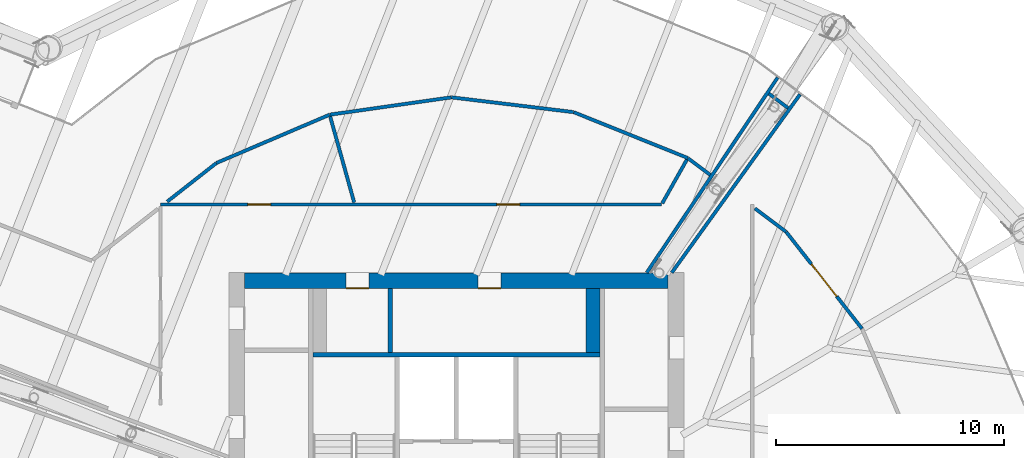
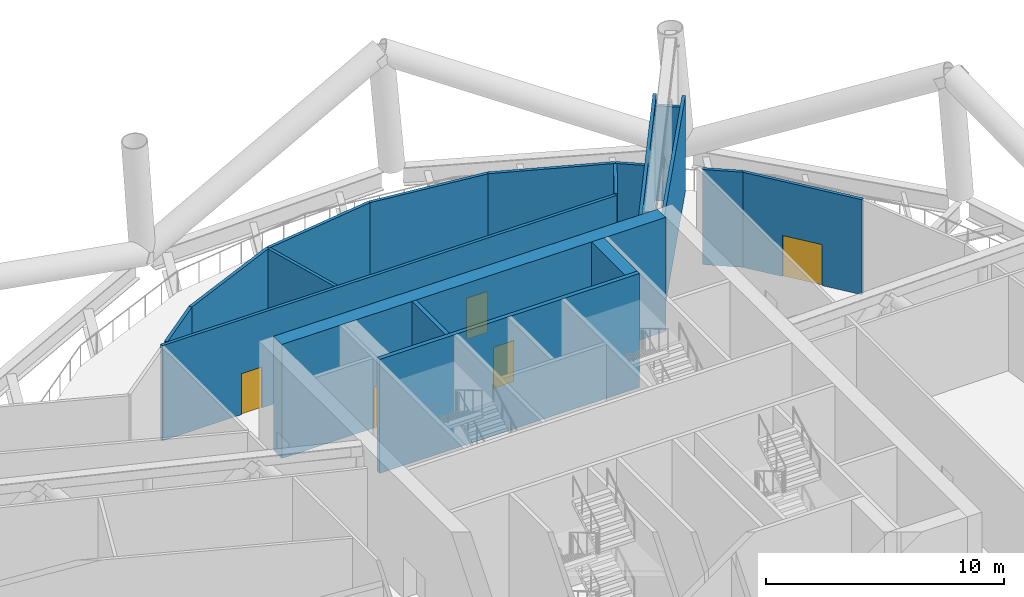
# One storey, part 14 of 36: 18 walls, 5 doors, 5 openings.
"""IFC4 building model written with IfcOpenShell, lengths in metres."""

from ifc_helpers import new_model, si_unit, direction, frame, frame_2d, origin, place, context, subcontext, project, spatial, rectangle, extrude, material, layer, layer_set, type_object, element, fill, save


model = new_model("IFC4")

# Units and contexts
model_context = context("Model", 3, precision=1e-05, world=origin(), true_north=direction((0.0, 1.0)))
body_context = subcontext(model_context, "Body", "Model", "MODEL_VIEW")
ifc_project = project(units=[si_unit("LENGTHUNIT", "METRE"), si_unit("AREAUNIT", "SQUARE_METRE"), si_unit("VOLUMEUNIT", "CUBIC_METRE"), si_unit("PLANEANGLEUNIT", "RADIAN"), si_unit("MASSUNIT", "GRAM", prefix="KILO")], contexts=[model_context])

# Site, building, storey
site_placement = place(None, origin())
site = spatial("IfcSite", under=ifc_project, at=site_placement, CompositionType="ELEMENT")
building_placement = place(site_placement, origin())
building = spatial("IfcBuilding", under=site, at=building_placement, Name="Tarsis Ring Headquarters", CompositionType="ELEMENT")
storey_placement = place(building_placement, frame((0.0, 0.0, 194.39990234375)))
storey = spatial("IfcBuildingStorey", under=building, at=storey_placement, Name="L45", CompositionType="ELEMENT", Elevation=194.39990234375)

# Wall
ifc_material_1 = material(Name="Blockwork", Category="masonry")
ifc_layer_1 = layer(ifc_material_1, 0.199951171875)
ifc_layer_set_1 = layer_set([ifc_layer_1], Name="Core blockwork wall 200")
wall_type_1 = type_object("IfcWallType", Name="Core blockwork wall 200", PredefinedType="PARTITIONING", material=ifc_layer_set_1)
wall_1_placement = place(storey_placement, frame((-2.89990234375, 9.5, 0.0), z_axis=(0.0, 0.0, 1.0), x_axis=(0.0, 1.0, 0.0)))
element("IfcWall", 1, at=wall_1_placement, inside=storey, type_object=wall_type_1, Name="Core partition ND1", PredefinedType="PARTITIONING", context=body_context, shape_type="SweptSolid", body=[
    extrude(rectangle(XDim=2.800048828125, YDim=0.199951171875, at=frame_2d((1.39990234375, 0.0))), origin(), (0.0, 0.0, 1.0), 5.840087890625),
])

# Wall, openings, doors
ifc_material_2 = material(Name="Concrete C50/60", Category="concrete")
ifc_layer_2 = layer(ifc_material_2, 0.699951171875)
ifc_layer_set_2 = layer_set([ifc_layer_2], Name="Core wall 700 C50/60")
wall_type_2 = type_object("IfcWallType", Name="Core wall 700 C50/60", PredefinedType="SHEAR", material=ifc_layer_set_2)
wall_2_placement = place(storey_placement, frame((-9.300048828125, 12.64990234375, 0.0), z_axis=(0.0, 0.0, 1.0), x_axis=(1.0, 0.0, 0.0)))
wall_2 = element("IfcWall", 2, at=wall_2_placement, inside=storey, type_object=wall_type_2, Name="Core wall ON", PredefinedType="SHEAR", context=body_context, shape_type="SweptSolid", body=[
    extrude(rectangle(XDim=18.60009765625, YDim=0.699951171875, at=frame_2d((9.300048828125, 0.0))), origin(), (0.0, 0.0, 1.0), 5.840087890625),
])
opening_1_placement = place(wall_2_placement, frame((4.449951171875, 0.0, 0.0)))
opening_1 = element("IfcOpeningElement", 3, at=opening_1_placement, cuts=wall_2, Name="Opening L45-C13", PredefinedType="OPENING", context=body_context, shape_type="SweptSolid", body=[
    extrude(rectangle(XDim=1.0, YDim=2.10009765625, at=frame_2d((0.5, 1.050048828125))), frame((0.0, 0.35986328125, 0.0), z_axis=(0.0, -1.0, 0.0), x_axis=(1.0, 0.0, 0.0)), (0.0, 0.0, 1.0), 0.719970703125),
])
opening_2_placement = place(wall_2_placement, frame((10.25, 0.0, 0.0)))
opening_2 = element("IfcOpeningElement", 4, at=opening_2_placement, cuts=wall_2, Name="Opening L45-C14", PredefinedType="OPENING", context=body_context, shape_type="SweptSolid", body=[
    extrude(rectangle(XDim=1.0, YDim=2.10009765625, at=frame_2d((0.5, 1.050048828125))), frame((0.0, 0.35986328125, 0.0), z_axis=(0.0, -1.0, 0.0), x_axis=(1.0, 0.0, 0.0)), (0.0, 0.0, 1.0), 0.719970703125),
])
ifc_material_3 = material(Name="Steel S355", Category="steel")
door_type_1 = type_object("IfcDoorType", Name="Core room door 1000x2100", OperationType="SINGLE_SWING_LEFT", PredefinedType="DOOR", material=ifc_material_3)
door_1_placement = place(opening_1_placement, origin())
door_1 = element("IfcDoor", 5, at=door_1_placement, inside=storey, type_object=door_type_1, Name="Core room door L45", OperationType="SINGLE_SWING_LEFT", OverallHeight=2.10009765625, OverallWidth=1.0, PredefinedType="DOOR", context=body_context, shape_type="SweptSolid", body=[
    extrude(rectangle(XDim=1.0, YDim=2.10009765625, at=frame_2d((0.5, 1.050048828125))), frame((0.0, -0.2998046875, 0.0), z_axis=(0.0, -1.0, 0.0), x_axis=(1.0, 0.0, 0.0)), (0.0, 0.0, 1.0), 0.050048828125),
])
fill(opening_1, door_1)
door_2_placement = place(opening_2_placement, origin())
door_2 = element("IfcDoor", 6, at=door_2_placement, inside=storey, type_object=door_type_1, Name="Core room door L45", OperationType="SINGLE_SWING_LEFT", OverallHeight=2.10009765625, OverallWidth=1.0, PredefinedType="DOOR", context=body_context, shape_type="SweptSolid", body=[
    extrude(rectangle(XDim=1.0, YDim=2.10009765625, at=frame_2d((0.5, 1.050048828125))), frame((0.0, -0.2998046875, 0.0), z_axis=(0.0, -1.0, 0.0), x_axis=(1.0, 0.0, 0.0)), (0.0, 0.0, 1.0), 0.050048828125),
])
fill(opening_2, door_2)

ifc_material_4 = material(Name="Gypsum board on steel studs", Category="steel")
ifc_layer_3 = layer(ifc_material_4, 0.14990234375)
ifc_layer_set_3 = layer_set([ifc_layer_3], Name="FL partition 150 EI 120 H4870")
wall_type_3 = type_object("IfcWallType", Name="FL partition 150 EI 120 H4870", PredefinedType="PARTITIONING", material=ifc_layer_set_3)
wall_3_placement = place(storey_placement, frame((-12.998046875, 16.0, 0.0), z_axis=(0.0, 0.0, 1.0), x_axis=(1.0, 0.0, 0.0)))
wall_3 = element("IfcWall", 7, at=wall_3_placement, inside=storey, type_object=wall_type_3, Name="Partition PW2H487", PredefinedType="PARTITIONING", context=body_context, shape_type="SweptSolid", body=[
    extrude(rectangle(XDim=22.013427734375, YDim=0.14990234375, at=frame_2d((11.0068359375, 0.0))), origin(), (0.0, 0.0, 1.0), 4.8701171875),
])
opening_3_placement = place(wall_3_placement, frame((14.772216796875, 0.0, 0.0)))
opening_3 = element("IfcOpeningElement", 8, at=opening_3_placement, cuts=wall_3, Name="Opening D45.04", PredefinedType="OPENING", context=body_context, shape_type="SweptSolid", body=[
    extrude(rectangle(XDim=1.0, YDim=2.10009765625, at=frame_2d((0.5, 1.050048828125))), frame((0.0, 0.0849609375, 0.0), z_axis=(0.0, -1.0, 0.0), x_axis=(1.0, 0.0, 0.0)), (0.0, 0.0, 1.0), 0.169921875),
])
opening_4_placement = place(wall_3_placement, frame((3.8330078125, 0.0, 0.0)))
opening_4 = element("IfcOpeningElement", 9, at=opening_4_placement, cuts=wall_3, Name="Opening D45.05", PredefinedType="OPENING", context=body_context, shape_type="SweptSolid", body=[
    extrude(rectangle(XDim=1.0, YDim=2.10009765625, at=frame_2d((0.5, 1.050048828125))), frame((0.0, 0.0849609375, 0.0), z_axis=(0.0, -1.0, 0.0), x_axis=(1.0, 0.0, 0.0)), (0.0, 0.0, 1.0), 0.169921875),
])
ifc_material_5 = material(Name="Fire-rated timber door leaf in steel frame", Category="steel")
door_type_2 = type_object("IfcDoorType", Name="FL door FD120-1000", OperationType="NOTDEFINED", PredefinedType="DOOR", material=ifc_material_5)
door_3_placement = place(opening_3_placement, origin())
door_3 = element("IfcDoor", 10, at=door_3_placement, inside=storey, type_object=door_type_2, Name="Door D45.04", OperationType="SINGLE_SWING_LEFT", OverallHeight=2.10009765625, OverallWidth=1.0, PredefinedType="DOOR", context=body_context, shape_type="SweptSolid", body=[
    extrude(rectangle(XDim=1.0, YDim=2.10009765625, at=frame_2d((0.5, 1.050048828125))), frame((0.0, 0.02490234375, 0.0), z_axis=(0.0, -1.0, 0.0), x_axis=(1.0, 0.0, 0.0)), (0.0, 0.0, 1.0), 0.050048828125),
])
fill(opening_3, door_3)
door_4_placement = place(opening_4_placement, origin())
door_4 = element("IfcDoor", 11, at=door_4_placement, inside=storey, type_object=door_type_2, Name="Door D45.05", OperationType="SINGLE_SWING_RIGHT", OverallHeight=2.10009765625, OverallWidth=1.0, PredefinedType="DOOR", context=body_context, shape_type="SweptSolid", body=[
    extrude(rectangle(XDim=1.0, YDim=2.10009765625, at=frame_2d((0.5, 1.050048828125))), frame((0.0, 0.02490234375, 0.0), z_axis=(0.0, -1.0, 0.0), x_axis=(1.0, 0.0, 0.0)), (0.0, 0.0, 1.0), 0.050048828125),
])
fill(opening_4, door_4)

# Walls
wall_4_placement = place(storey_placement, frame((8.362548828125, 13.002685546875, 0.0), z_axis=(0.0, 0.0, 1.0), x_axis=(0.557132095917, 0.83042388435, 0.0)))
element("IfcWall", 12, at=wall_4_placement, inside=storey, type_object=wall_type_3, Name="Partition PW2H487", PredefinedType="PARTITIONING", context=body_context, shape_type="SweptSolid", body=[
    extrude(rectangle(XDim=10.322509765625, YDim=0.14990234375, at=frame_2d((5.1611328125, 0.0))), origin(), (0.0, 0.0, 1.0), 4.8701171875),
])
wall_5_placement = place(storey_placement, frame((9.461181640625, 13.001220703125, 0.0), z_axis=(0.0, 0.0, 1.0), x_axis=(0.58386952037, 0.811847512273, 0.0)))
element("IfcWall", 13, at=wall_5_placement, inside=storey, type_object=wall_type_3, Name="Partition PW2H487", PredefinedType="PARTITIONING", context=body_context, shape_type="SweptSolid", body=[
    extrude(rectangle(XDim=9.652099609375, YDim=0.14990234375, at=frame_2d((4.826171875, 0.0))), origin(), (0.0, 0.0, 1.0), 4.8701171875),
])
wall_6_placement = place(storey_placement, frame((-10.54052734375, 17.823486328125, 0.0), z_axis=(0.0, 0.0, 1.0), x_axis=(0.919821205215, 0.392337801439, 0.0)))
element("IfcWall", 14, at=wall_6_placement, inside=storey, type_object=wall_type_3, Name="Partition PW2H487", PredefinedType="PARTITIONING", context=body_context, shape_type="SweptSolid", body=[
    extrude(rectangle(XDim=5.405029296875, YDim=0.14990234375, at=frame_2d((2.70263671875, 0.0))), origin(), (0.0, 0.0, 1.0), 4.8701171875),
])

# Wall, opening, door
wall_7_placement = place(storey_placement, frame((14.48828125, 14.79443359375, 0.0), z_axis=(0.0, 0.0, 1.0), x_axis=(0.617019288792, -0.786948027038, 0.0)))
wall_7 = element("IfcWall", 15, at=wall_7_placement, inside=storey, type_object=wall_type_3, Name="Partition PW2H487", PredefinedType="PARTITIONING", context=body_context, shape_type="SweptSolid", body=[
    extrude(rectangle(XDim=5.405029296875, YDim=0.14990234375, at=frame_2d((2.70263671875, 0.0))), origin(), (0.0, 0.0, 1.0), 4.8701171875),
])
opening_5_placement = place(wall_7_placement, frame((1.802490234375, 0.0, 0.0)))
opening_5 = element("IfcOpeningElement", 16, at=opening_5_placement, cuts=wall_7, Name="Opening D45.16", PredefinedType="OPENING", context=body_context, shape_type="SweptSolid", body=[
    extrude(rectangle(XDim=1.800048828125, YDim=2.10009765625, at=frame_2d((0.89990234375, 1.050048828125))), frame((0.0, 0.0849609375, 0.0), z_axis=(0.0, -1.0, 0.0), x_axis=(1.0, 0.0, 0.0)), (0.0, 0.0, 1.0), 0.169921875),
])
door_type_3 = type_object("IfcDoorType", Name="FL door FD120-1800", OperationType="DOUBLE_DOOR_SINGLE_SWING", PredefinedType="DOOR", material=ifc_material_5)
door_5_placement = place(opening_5_placement, origin())
door_5 = element("IfcDoor", 17, at=door_5_placement, inside=storey, type_object=door_type_3, Name="Door D45.16", OperationType="DOUBLE_DOOR_SINGLE_SWING", OverallHeight=2.10009765625, OverallWidth=1.800048828125, PredefinedType="DOOR", context=body_context, shape_type="SweptSolid", body=[
    extrude(rectangle(XDim=1.800048828125, YDim=2.10009765625, at=frame_2d((0.89990234375, 1.050048828125))), frame((0.0, 0.02490234375, 0.0), z_axis=(0.0, -1.0, 0.0), x_axis=(1.0, 0.0, 0.0)), (0.0, 0.0, 1.0), 0.050048828125),
])
fill(opening_5, door_5)

# Walls
wall_8_placement = place(storey_placement, frame((-0.216552734375, 20.7060546875, 0.0), z_axis=(0.0, 0.0, 1.0), x_axis=(0.992756001828, -0.120147912319, 0.0)))
element("IfcWall", 18, at=wall_8_placement, inside=storey, type_object=wall_type_3, Name="Partition PW2H487", PredefinedType="PARTITIONING", context=body_context, shape_type="SweptSolid", body=[
    extrude(rectangle(XDim=5.405029296875, YDim=0.14990234375, at=frame_2d((2.70263671875, 0.0))), origin(), (0.0, 0.0, 1.0), 4.8701171875),
])
wall_9_placement = place(storey_placement, frame((-5.558349609375, 19.94580078125, 0.0), z_axis=(0.0, 0.0, 1.0), x_axis=(0.990022806006, 0.140907216241, 0.0)))
element("IfcWall", 19, at=wall_9_placement, inside=storey, type_object=wall_type_3, Name="Partition PW2H487", PredefinedType="PARTITIONING", context=body_context, shape_type="SweptSolid", body=[
    extrude(rectangle(XDim=5.385009765625, YDim=0.14990234375, at=frame_2d((2.6923828125, 0.0))), origin(), (0.0, 0.0, 1.0), 4.8701171875),
])
wall_10_placement = place(storey_placement, frame((5.1591796875, 20.052734375, 0.0), z_axis=(0.0, 0.0, 1.0), x_axis=(0.927838652427, -0.372981815993, 0.0)))
element("IfcWall", 20, at=wall_10_placement, inside=storey, type_object=wall_type_3, Name="Partition PW2H487", PredefinedType="PARTITIONING", context=body_context, shape_type="SweptSolid", body=[
    extrude(rectangle(XDim=5.39501953125, YDim=0.14990234375, at=frame_2d((2.697509765625, 0.0))), origin(), (0.0, 0.0, 1.0), 4.8701171875),
])
wall_11_placement = place(storey_placement, frame((-5.54638671875, 19.864990234375, 0.0), z_axis=(0.0, 0.0, 1.0), x_axis=(0.268921157787, -0.963162193452, 0.0)))
element("IfcWall", 21, at=wall_11_placement, inside=storey, type_object=wall_type_3, Name="Partition PW2H487", PredefinedType="PARTITIONING", context=body_context, shape_type="SweptSolid", body=[
    extrude(rectangle(XDim=3.9228515625, YDim=0.14990234375, at=frame_2d((1.96142578125, 0.0))), origin(), (0.0, 0.0, 1.0), 4.8701171875),
])
wall_12_placement = place(storey_placement, frame((10.173583984375, 18.033935546875, 0.0), z_axis=(0.0, 0.0, 1.0), x_axis=(0.799736733683, -0.600350861411, 0.0)))
element("IfcWall", 22, at=wall_12_placement, inside=storey, type_object=wall_type_3, Name="Partition PW2H487", PredefinedType="PARTITIONING", context=body_context, shape_type="SweptSolid", body=[
    extrude(rectangle(XDim=1.224365234375, YDim=0.14990234375, at=frame_2d((0.6123046875, 0.0))), origin(), (0.0, 0.0, 1.0), 4.8701171875),
])
wall_13_placement = place(storey_placement, frame((-12.70654296875, 16.125244140625, 0.0), z_axis=(0.0, 0.0, 1.0), x_axis=(0.786929712612, 0.617042646345, 0.0)))
element("IfcWall", 23, at=wall_13_placement, inside=storey, type_object=wall_type_3, Name="Partition PW2H487", PredefinedType="PARTITIONING", context=body_context, shape_type="SweptSolid", body=[
    extrude(rectangle(XDim=2.741943359375, YDim=0.14990234375, at=frame_2d((1.37109375, 0.0))), origin(), (0.0, 0.0, 1.0), 4.8701171875),
])
wall_14_placement = place(storey_placement, frame((9.044921875, 16.05224609375, 0.0), z_axis=(0.0, 0.0, 1.0), x_axis=(0.490930357997, 0.871198819786, 0.0)))
element("IfcWall", 24, at=wall_14_placement, inside=storey, type_object=wall_type_3, Name="Partition PW2H487", PredefinedType="PARTITIONING", context=body_context, shape_type="SweptSolid", body=[
    extrude(rectangle(XDim=2.199462890625, YDim=0.14990234375, at=frame_2d((1.099609375, 0.0))), origin(), (0.0, 0.0, 1.0), 4.8701171875),
])
wall_15_placement = place(storey_placement, frame((13.11328125, 15.826904296875, 0.0), z_axis=(0.0, 0.0, 1.0), x_axis=(0.79963982518, -0.600479933041, 0.0)))
element("IfcWall", 25, at=wall_15_placement, inside=storey, type_object=wall_type_3, Name="Partition PW2H487", PredefinedType="PARTITIONING", context=body_context, shape_type="SweptSolid", body=[
    extrude(rectangle(XDim=1.708740234375, YDim=0.14990234375, at=frame_2d((0.8544921875, 0.0))), origin(), (0.0, 0.0, 1.0), 4.8701171875),
])
wall_16_placement = place(storey_placement, frame((13.728759765625, 20.866943359375, 0.0), z_axis=(0.0, 0.0, 1.0), x_axis=(0.799665131953, -0.600446231347, 0.0)))
element("IfcWall", 26, at=wall_16_placement, inside=storey, type_object=wall_type_3, Name="Partition PW2H487", PredefinedType="PARTITIONING", context=body_context, shape_type="SweptSolid", body=[
    extrude(rectangle(XDim=1.05029296875, YDim=0.14990234375, at=frame_2d((0.525146484375, 0.0))), origin(), (0.0, 0.0, 1.0), 4.8701171875),
])
ifc_material_6 = material(Name="Concrete C32/40", Category="concrete")
ifc_layer_4 = layer(ifc_material_6, 0.60009765625)
ifc_layer_set_4 = layer_set([ifc_layer_4], Name="Shaft end wall 600 C32/40")
wall_type_4 = type_object("IfcWallType", Name="Shaft end wall 600 C32/40", PredefinedType="SOLIDWALL", material=ifc_layer_set_4)
wall_17_placement = place(storey_placement, frame((6.0, 9.5, 0.0), z_axis=(0.0, 0.0, 1.0), x_axis=(0.0, 1.0, 0.0)))
element("IfcWall", 27, at=wall_17_placement, inside=storey, type_object=wall_type_4, Name="Core shaft wall NNE2", PredefinedType="SOLIDWALL", context=body_context, shape_type="SweptSolid", body=[
    extrude(rectangle(XDim=2.800048828125, YDim=0.60009765625, at=frame_2d((1.39990234375, 0.0))), origin(), (0.0, 0.0, 1.0), 5.840087890625),
])
ifc_layer_5 = layer(ifc_material_6, 0.199951171875)
ifc_layer_set_5 = layer_set([ifc_layer_5], Name="Shaft wall 200 C32/40")
wall_type_5 = type_object("IfcWallType", Name="Shaft wall 200 C32/40", PredefinedType="SOLIDWALL", material=ifc_layer_set_5)
wall_18_placement = place(storey_placement, frame((-6.300048828125, 9.39990234375, 0.0), z_axis=(0.0, 0.0, 1.0), x_axis=(1.0, 0.0, 0.0)))
element("IfcWall", 28, at=wall_18_placement, inside=storey, type_object=wall_type_5, Name="Core shaft wall NB", PredefinedType="SOLIDWALL", context=body_context, shape_type="SweptSolid", body=[
    extrude(rectangle(XDim=12.60009765625, YDim=0.199951171875, at=frame_2d((6.300048828125, 0.0))), origin(), (0.0, 0.0, 1.0), 5.840087890625),
])

save(model, "model.ifc")
